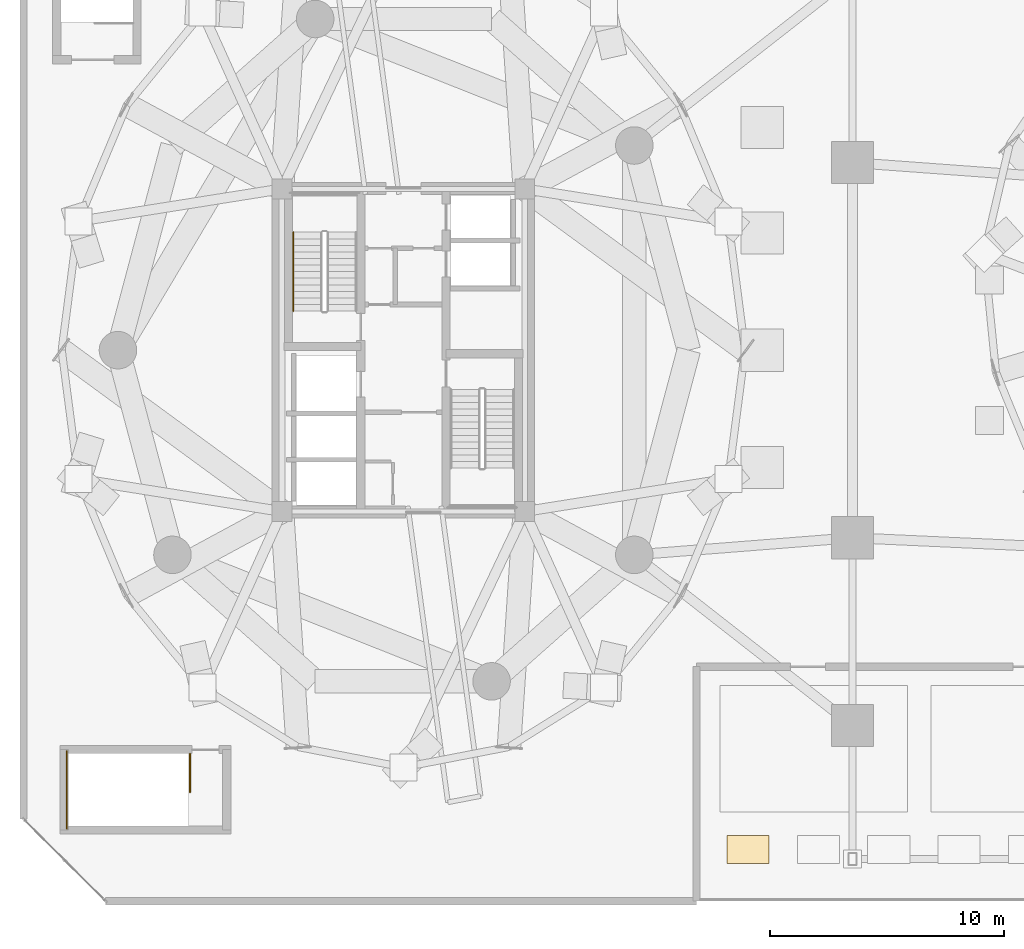
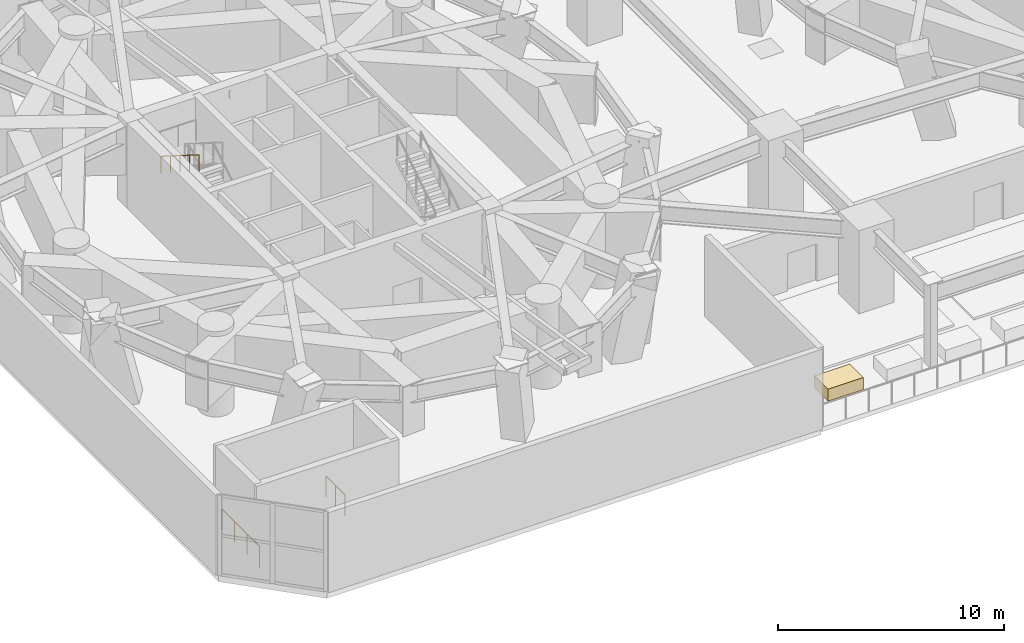
# One storey, part 21 of 25: 3 railings, 1 covering.
"""IFC4 building model written with IfcOpenShell, lengths in metres."""

from ifc_helpers import new_model, si_unit, direction, frame, origin, origin_2d, place, context, subcontext, project, spatial, rectangle, circle, extrude, source, transform, mapped, material, layer, layer_set, type_object, element, save


model = new_model("IFC4")

# Units and contexts
model_context = context("Model", 3, precision=1e-05, world=origin(), true_north=direction((0.0, 1.0)))
body_context = subcontext(model_context, "Body", "Model", "MODEL_VIEW")
ifc_project = project(units=[si_unit("LENGTHUNIT", "METRE"), si_unit("AREAUNIT", "SQUARE_METRE"), si_unit("VOLUMEUNIT", "CUBIC_METRE"), si_unit("PLANEANGLEUNIT", "RADIAN"), si_unit("MASSUNIT", "GRAM", prefix="KILO")], contexts=[model_context])

# Site, building, storey
site_placement = place(None, origin())
site = spatial("IfcSite", under=ifc_project, at=site_placement, CompositionType="ELEMENT")
building_placement = place(site_placement, origin())
building = spatial("IfcBuilding", under=site, at=building_placement, Name="Cununo Teusaquillo Station Towers", CompositionType="ELEMENT")
storey_placement = place(building_placement, frame((0.0, 0.0, 17.39990234375)))
storey = spatial("IfcBuildingStorey", under=building, at=storey_placement, Name="L04", CompositionType="ELEMENT", Elevation=17.39990234375)

# Railings
ifc_material_1 = material(Name="Steel EN 10025-2 S355J2", Category="steel")
railing_type_1 = type_object("IfcRailingType", Name="RL-INT-GUARD", PredefinedType="GUARDRAIL", material=ifc_material_1)
railing_1_placement = place(storey_placement, frame((7.39990234375, 7.300048828125, 0.0)))
element("IfcRailing", 1, at=railing_1_placement, inside=storey, type_object=railing_type_1, Name="L04 ST-POD-S top well guard 1", PredefinedType="GUARDRAIL", context=body_context, shape_type="SweptSolid", body=[
    extrude(circle(Radius=0.02392578125, at=origin_2d()), frame((0.0, 0.0, 1.1259765625), z_axis=(0.0, -1.0, 0.0), x_axis=(1.0, 0.0, 0.0)), (0.0, 0.0, 1.0), 1.650146484375),
    extrude(circle(Radius=0.02099609375, at=origin_2d()), origin(), (0.0, 0.0, 1.0), 1.101806640625),
    extrude(circle(Radius=0.02099609375, at=origin_2d()), frame((0.0, -0.8251953125, 0.0)), (0.0, 0.0, 1.0), 1.101806640625),
    extrude(circle(Radius=0.02099609375, at=origin_2d()), frame((0.0, -1.650146484375, 0.0)), (0.0, 0.0, 1.0), 1.101806640625),
])
railing_2_placement = place(storey_placement, frame((2.14990234375, 7.39990234375, 0.0)))
element("IfcRailing", 2, at=railing_2_placement, inside=storey, type_object=railing_type_1, Name="L04 ST-POD-S top well guard 2", PredefinedType="GUARDRAIL", context=body_context, shape_type="SweptSolid", body=[
    extrude(circle(Radius=0.02392578125, at=origin_2d()), frame((0.0, 0.0, 1.1259765625), z_axis=(0.0, -1.0, 0.0), x_axis=(1.0, 0.0, 0.0)), (0.0, 0.0, 1.0), 3.2998046875),
    extrude(circle(Radius=0.02099609375, at=origin_2d()), origin(), (0.0, 0.0, 1.0), 1.101806640625),
    extrude(circle(Radius=0.02099609375, at=origin_2d()), frame((0.0, -1.099853515625, 0.0)), (0.0, 0.0, 1.0), 1.101806640625),
    extrude(circle(Radius=0.02099609375, at=origin_2d()), frame((0.0, -2.199951171875, 0.0)), (0.0, 0.0, 1.0), 1.101806640625),
    extrude(circle(Radius=0.02099609375, at=origin_2d()), frame((0.0, -3.2998046875, 0.0)), (0.0, 0.0, 1.0), 1.101806640625),
])
ifc_material_2 = material(Name="Steel EN 10025-2 S355J2", Category="steel")
railing_type_2 = type_object("IfcRailingType", Name="RL-INT-HRAIL", PredefinedType="HANDRAIL", material=ifc_material_2)
railing_3_placement = place(storey_placement, frame((11.81005859375, 29.530029296875, 2.47705078125)))
element("IfcRailing", 3, at=railing_3_placement, inside=storey, type_object=railing_type_2, Name="L04 ST-T1-1 stair handrail 2", PredefinedType="HANDRAIL", context=body_context, shape_type="SweptSolid", body=[
    extrude(circle(Radius=0.02392578125, at=origin_2d()), frame((0.0, 0.0, 0.8759765625), z_axis=(0.0, -0.845389635667, 0.534150132366), x_axis=(1.0, 0.0, 0.0)), (0.0, 0.0, 1.0), 3.974609375),
    extrude(circle(Radius=0.02099609375, at=origin_2d()), origin(), (0.0, 0.0, 1.0), 0.851806640625),
    extrude(circle(Radius=0.02099609375, at=origin_2d()), frame((0.0, -0.840087890625, 0.53076171875)), (0.0, 0.0, 1.0), 0.851806640625),
    extrude(circle(Radius=0.02099609375, at=origin_2d()), frame((0.0, -1.68017578125, 1.0615234375)), (0.0, 0.0, 1.0), 0.851806640625),
    extrude(circle(Radius=0.02099609375, at=origin_2d()), frame((0.0, -2.52001953125, 1.59228515625)), (0.0, 0.0, 1.0), 0.851806640625),
    extrude(circle(Radius=0.02099609375, at=origin_2d()), frame((0.0, -3.360107421875, 2.123046875)), (0.0, 0.0, 1.0), 0.851806640625),
])

# Covering
ifc_material_3 = material(Name="Architectural GRC planter shell and engineered root-zone substrate", Category="concrete")
ifc_layer = layer(ifc_material_3, 0.64990234375)
ifc_layer_set = layer_set([ifc_layer], Name="Architectural GRC planter shell and engineered root-zone substrate")
covering_type = type_object("IfcCoveringType", Name="COV-TREE-PLANTER", PredefinedType="CLADDING", material=ifc_layer_set)
shared_shape = source(origin(), body_context, "Body", "SweptSolid", [
    extrude(rectangle(XDim=1.800048828125, YDim=1.199951171875, at=origin_2d()), origin(), (0.0, 0.0, 1.0), 0.64990234375),
])
covering_placement = place(storey_placement, frame((31.199951171875, 3.199951171875, 0.000244140625), z_axis=(0.0, 0.0, 1.0), x_axis=(1.0, 0.0, 0.0)))
element("IfcCovering", 4, at=covering_placement, inside=storey, type_object=covering_type, Name="L04 Podium Terrace Tree PLANTER 1", PredefinedType="CLADDING", context=body_context, shape_type="MappedRepresentation", body=[
    mapped(shared_shape, transform((0.0, 0.0, 0.0), x_axis=(1.0, 0.0, 0.0), y_axis=(0.0, 1.0, 0.0), z_axis=(0.0, 0.0, 1.0), scale=1.0)),
])

save(model, "model.ifc")
